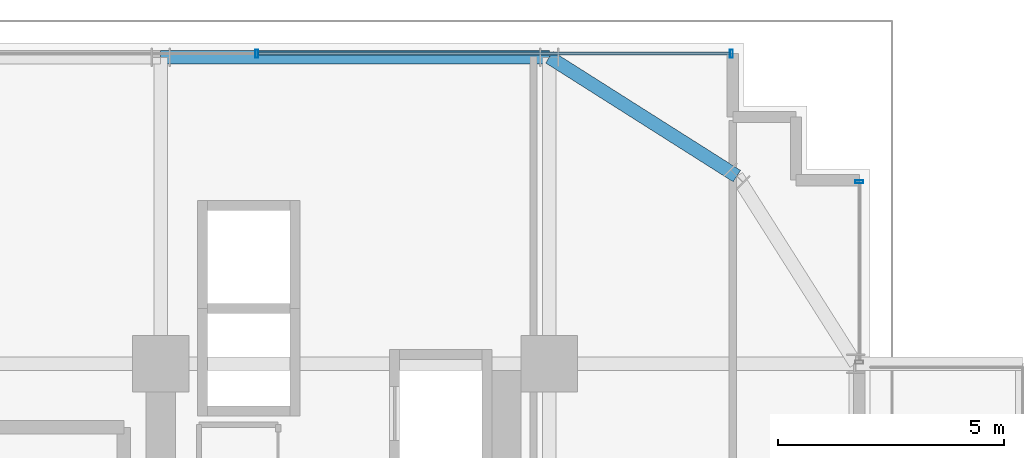
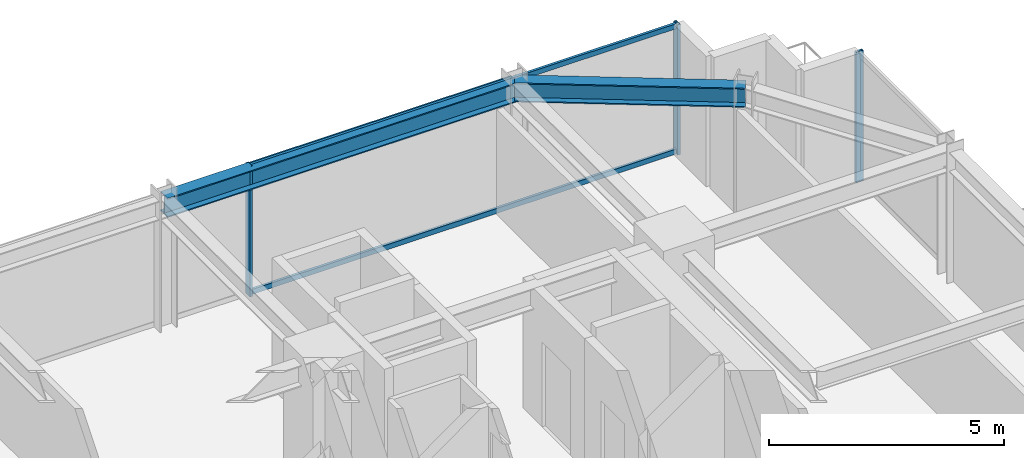
# One storey, part 25 of 34: 5 members, 2 beams, 2 elements without a shape of their own.
"""IFC4 building model written with IfcOpenShell, lengths in metres."""

from ifc_helpers import new_model, si_unit, direction, frame, origin, origin_2d, place, context, subcontext, project, spatial, hollow_rectangle, i_section, extrude, source, transform, mapped, material, material_profile, profile_set, type_object, element, aggregate, save


model = new_model("IFC4")

# Units and contexts
model_context = context("Model", 3, precision=1e-05, world=origin(), true_north=direction((0.0, 1.0)))
body_context = subcontext(model_context, "Body", "Model", "MODEL_VIEW")
ifc_project = project(units=[si_unit("LENGTHUNIT", "METRE"), si_unit("AREAUNIT", "SQUARE_METRE"), si_unit("VOLUMEUNIT", "CUBIC_METRE"), si_unit("PLANEANGLEUNIT", "RADIAN"), si_unit("MASSUNIT", "GRAM", prefix="KILO")], contexts=[model_context])

# Site, building, storey
site_placement = place(None, origin())
site = spatial("IfcSite", under=ifc_project, at=site_placement, CompositionType="ELEMENT")
building_placement = place(site_placement, origin())
building = spatial("IfcBuilding", under=site, at=building_placement, Name="Nahalor Promenade Grand Hotel", CompositionType="ELEMENT")
storey_placement = place(building_placement, frame((0.0, 0.0, 88.300048828125)))
storey = spatial("IfcBuildingStorey", under=building, at=storey_placement, Name="L21", CompositionType="ELEMENT", Elevation=88.300048828125)

# Beams
ifc_material_1 = material(Name="Steel S355JR", Category="steel")
ifc_material_profile_1 = material_profile(ifc_material_1, i_section(OverallWidth=0.3, OverallDepth=0.5, WebThickness=0.0145, FlangeThickness=0.028, at=origin_2d()), Name="HEB 500")
ifc_profile_set_1 = profile_set([ifc_material_profile_1], Name="Steel S355JR")
beam_type = type_object("IfcBeamType", Name="Beam-Spandrel-HEB500", PredefinedType="SPANDREL", material=ifc_profile_set_1)
shared_shape_1 = source(origin(), body_context, "Body", "SweptSolid", [
    extrude(i_section(OverallWidth=0.3, OverallDepth=0.5, WebThickness=0.0145, FlangeThickness=0.028, at=origin_2d()), origin(), (0.0, 0.0, 1.0), 8.60009765625),
])
beam_1_placement = place(storey_placement, frame((8.39990234375, 23.780029296875, 3.1298828125), z_axis=(1.0, 0.0, 0.0), x_axis=(0.0, 1.0, 0.0)))
element("IfcBeam", 1, at=beam_1_placement, inside=storey, type_object=beam_type, Name="BM-L21-SP-N-4", PredefinedType="SPANDREL", context=body_context, shape_type="MappedRepresentation", body=[
    mapped(shared_shape_1, transform((0.0, 0.0, 0.0), scale=1.0)),
])
shared_shape_2 = source(origin(), body_context, "Body", "SweptSolid", [
    extrude(i_section(OverallWidth=0.3, OverallDepth=0.5, WebThickness=0.0145, FlangeThickness=0.028, at=origin_2d()), origin(), (0.0, 0.0, 1.0), 4.9130859375),
])
beam_2_placement = place(storey_placement, frame((17.0, 23.780029296875, 3.1298828125), z_axis=(0.844648325505, -0.535321591403, 0.0), x_axis=(0.535321591403, 0.844648325505, 0.0)))
element("IfcBeam", 2, at=beam_2_placement, inside=storey, type_object=beam_type, Name="BM-L21-SPC-NE-1", PredefinedType="SPANDREL", context=body_context, shape_type="MappedRepresentation", body=[
    mapped(shared_shape_2, transform((0.0, 0.0, 0.0), scale=1.0)),
])

# Curtain wall, members
ifc_material_2 = material(Name="Anodised Bronze Aluminium EN AW-6063 T6", Category="aluminium")
curtain_wall_type = type_object("IfcCurtainWallType", Name="CW2 Typical Hotel Flush Bronze Unitised Curtain Wall", PredefinedType="USERDEFINED", material=ifc_material_2)
curtain_wall_1_placement = place(storey_placement, origin())
curtain_wall_1 = element("IfcCurtainWall", 3, at=curtain_wall_1_placement, inside=storey, type_object=curtain_wall_type, Name="L21 Curtain Wall CW-L21-N-1", ObjectType="UNITISED_CURTAIN_WALL", PredefinedType="USERDEFINED")
ifc_material_profile_2 = material_profile(ifc_material_2, hollow_rectangle(XDim=0.065, YDim=0.18, WallThickness=0.004, at=origin_2d()), Name="CWM 65x180x4")
ifc_profile_set_2 = profile_set([ifc_material_profile_2], Name="Anodised Bronze Aluminium EN AW-6063 T6")
member_type_1 = type_object("IfcMemberType", Name="CWM2 Typical Bronze Mullion 65x180", PredefinedType="MULLION", material=ifc_profile_set_2)
shared_shape_3 = source(origin(), body_context, "Body", "SweptSolid", [
    extrude(hollow_rectangle(XDim=0.065, YDim=0.18, WallThickness=0.004, at=origin_2d()), origin(), (0.0, 0.0, 1.0), 3.3798828125),
])
member_1_placement = place(storey_placement, frame((10.530029296875, 23.860107421875, 0.0), z_axis=(0.0, 0.0, 1.0), x_axis=(1.0, 0.0, 0.0)))
member_1 = element("IfcMember", 4, at=member_1_placement, type_object=member_type_1, Name="CW-L21-N-1 Mullion 3", PredefinedType="MULLION", context=body_context, shape_type="MappedRepresentation", body=[
    mapped(shared_shape_3, transform((0.0, 0.0, 0.0), scale=1.0)),
])
member_2_placement = place(storey_placement, frame((21.027587890625, 23.860107421875, 0.0), z_axis=(0.0, 0.0, 1.0), x_axis=(1.0, 0.0, 0.0)))
member_2 = element("IfcMember", 5, at=member_2_placement, type_object=member_type_1, Name="CW-L21-N-1 Mullion 4", PredefinedType="MULLION", context=body_context, shape_type="MappedRepresentation", body=[
    mapped(shared_shape_3, transform((0.0, 0.0, 0.0), scale=1.0)),
])

# Curtain wall, member
curtain_wall_2_placement = place(storey_placement, origin())
curtain_wall_2 = element("IfcCurtainWall", 6, at=curtain_wall_2_placement, inside=storey, type_object=curtain_wall_type, Name="L21 Curtain Wall CW-L21-E-3", ObjectType="UNITISED_CURTAIN_WALL", PredefinedType="USERDEFINED")
member_3_placement = place(storey_placement, frame((23.860107421875, 21.027587890625, 0.0), z_axis=(0.0, 0.0, 1.0), x_axis=(0.0, 1.0, 0.0)))
member_3 = element("IfcMember", 7, at=member_3_placement, type_object=member_type_1, Name="CW-L21-E-3 Mullion 1", PredefinedType="MULLION", context=body_context, shape_type="MappedRepresentation", body=[
    mapped(shared_shape_3, transform((0.0, 0.0, 0.0), scale=1.0)),
])
aggregate(curtain_wall_2, [member_3])

# Member
ifc_material_profile_3 = material_profile(ifc_material_2, hollow_rectangle(XDim=0.065, YDim=0.13, WallThickness=0.004, at=origin_2d()), Name="CWT 65x130x4")
ifc_profile_set_3 = profile_set([ifc_material_profile_3], Name="Anodised Bronze Aluminium EN AW-6063 T6")
member_type_2 = type_object("IfcMemberType", Name="CWT2 Typical Bronze Transom 65x130", PredefinedType="USERDEFINED", material=ifc_profile_set_3)
shared_shape_4 = source(origin(), body_context, "Body", "SweptSolid", [
    extrude(hollow_rectangle(XDim=0.065, YDim=0.13, WallThickness=0.004, at=origin_2d()), origin(), (0.0, 0.0, 1.0), 10.4326171875),
])
member_4_placement = place(storey_placement, frame((10.5625, 23.860107421875, 0.06494140625), z_axis=(1.0, 0.0, 0.0), x_axis=(0.0, 1.0, 0.0)))
member_4 = element("IfcMember", 8, at=member_4_placement, type_object=member_type_2, Name="CW-L21-N-1 Transom 3-0", ObjectType="TRANSOM", PredefinedType="USERDEFINED", context=body_context, shape_type="MappedRepresentation", body=[
    mapped(shared_shape_4, transform((0.0, 0.0, 0.0), scale=1.0)),
])

member_5_placement = place(storey_placement, frame((10.5625, 23.860107421875, 3.31494140625), z_axis=(1.0, 0.0, 0.0), x_axis=(0.0, 1.0, 0.0)))
member_5 = element("IfcMember", 9, at=member_5_placement, type_object=member_type_2, Name="CW-L21-N-1 Transom 3-1", ObjectType="TRANSOM", PredefinedType="USERDEFINED", context=body_context, shape_type="MappedRepresentation", body=[
    mapped(shared_shape_4, transform((0.0, 0.0, 0.0), scale=1.0)),
])

aggregate(curtain_wall_1, [member_1, member_2, member_4, member_5])

save(model, "model.ifc")
